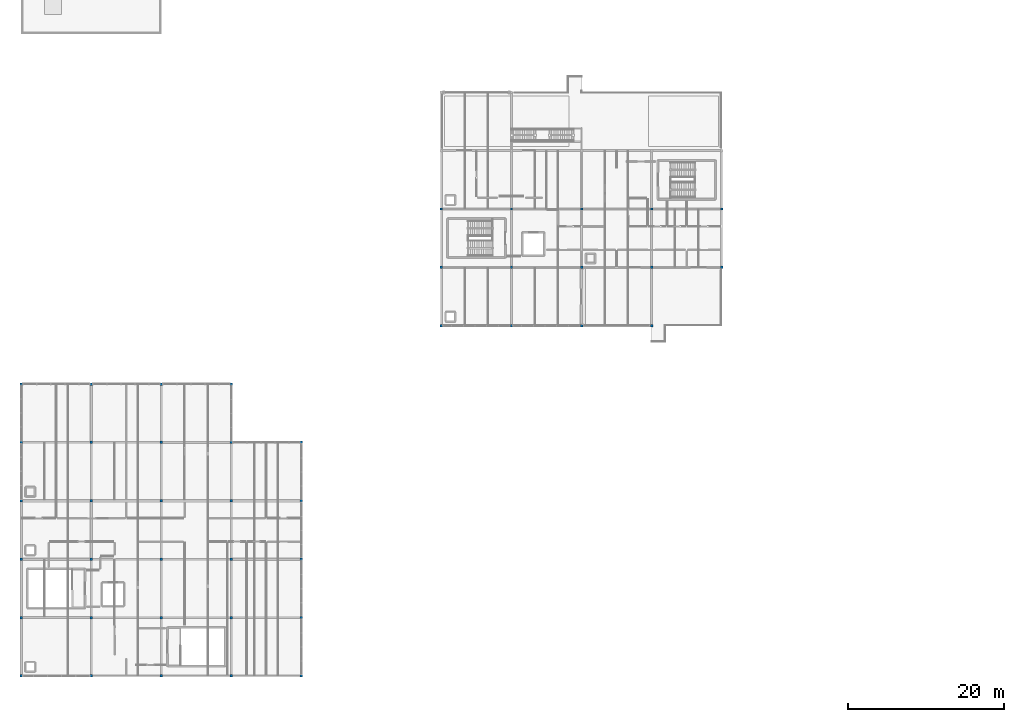
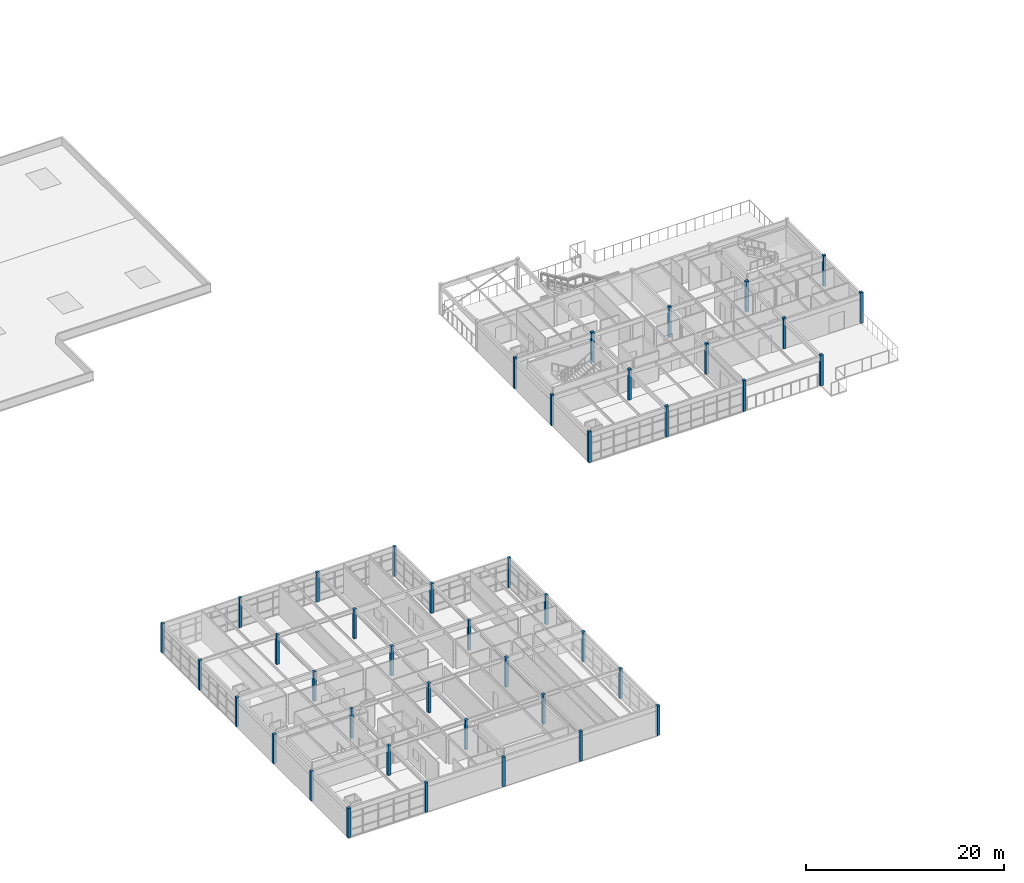
# One storey, part 1 of 24: 43 columns.
"""IFC4 building model written with IfcOpenShell, lengths in metres."""

from ifc_helpers import new_model, si_unit, direction, frame, origin, origin_2d, place, context, subcontext, project, spatial, rectangle, extrude, material, material_profile, profile_set, type_object, element, save


model = new_model("IFC4")

# Units and contexts
model_context = context("Model", 3, precision=1e-05, world=origin(), true_north=direction((0.0, 1.0)))
body_context = subcontext(model_context, "Body", "Model", "MODEL_VIEW")
ifc_project = project(units=[si_unit("LENGTHUNIT", "METRE"), si_unit("AREAUNIT", "SQUARE_METRE"), si_unit("VOLUMEUNIT", "CUBIC_METRE"), si_unit("PLANEANGLEUNIT", "RADIAN"), si_unit("MASSUNIT", "GRAM", prefix="KILO")], contexts=[model_context])

# Site, building, storey
site_placement = place(None, origin())
site = spatial("IfcSite", under=ifc_project, at=site_placement, CompositionType="ELEMENT")
building_placement = place(site_placement, origin())
building = spatial("IfcBuilding", under=site, at=building_placement, Name="Marnridge Secondary College", CompositionType="ELEMENT")
storey_placement = place(building_placement, frame((0.0, 0.0, 16.10009765625)))
storey = spatial("IfcBuildingStorey", under=building, at=storey_placement, Name="L04", CompositionType="ELEMENT", Elevation=16.10009765625)

# Columns
ifc_material_1 = material(Name="Glulam timber GL21", Category="wood")
ifc_material_profile_1 = material_profile(ifc_material_1, rectangle(XDim=0.31494140625, YDim=0.31494140625, at=origin_2d()), Name="GL21 315x315")
ifc_profile_set_1 = profile_set([ifc_material_profile_1], Name="Glulam timber GL21")
column_type_1 = type_object("IfcColumnType", Name="CL-GL315-EXT", PredefinedType="COLUMN", material=ifc_profile_set_1)
for number, where, z_axis, x_axis, name in (
    (1, (0.0, 0.0, 0.0), (0.0, 0.0, 1.0), (1.0, 0.0, 0.0), "Column C-L04-0005"),
    (2, (9.0, 0.0, 0.0), (0.0, 0.0, 1.0), (1.0, 0.0, 0.0), "Column C-L04-0010"),
    (3, (18.0, 0.0, 0.0), (0.0, 0.0, 1.0), (1.0, 0.0, 0.0), "Column C-L04-0015"),
    (4, (27.0, 0.0, 0.0), (0.0, 0.0, 1.0), (1.0, 0.0, 0.0), "Column C-L04-0020"),
    (5, (36.0, 0.0, 0.0), (0.0, 0.0, 1.0), (1.0, 0.0, 0.0), "Column C-L04-0025"),
    (6, (0.0, 7.5, 0.0), (0.0, 0.0, 1.0), (1.0, 0.0, 0.0), "Column C-L04-0057"),
    (7, (36.0, 7.5, 0.0), (0.0, 0.0, 1.0), (1.0, 0.0, 0.0), "Column C-L04-0077"),
    (8, (0.0, 15.0, 0.0), (0.0, 0.0, 1.0), (1.0, 0.0, 0.0), "Column C-L04-0102"),
    (9, (36.0, 15.0, 0.0), (0.0, 0.0, 1.0), (1.0, 0.0, 0.0), "Column C-L04-0122"),
    (10, (0.0, 22.5, 0.0), (0.0, 0.0, 1.0), (1.0, 0.0, 0.0), "Column C-L04-0147"),
    (11, (36.0, 22.5, 0.0), (0.0, 0.0, 1.0), (1.0, 0.0, 0.0), "Column C-L04-0167"),
    (12, (0.0, 30.0, 0.0), (0.0, 0.0, 1.0), (1.0, 0.0, 0.0), "Column C-L04-0192"),
    (13, (27.0, 30.0, 0.0), (0.0, 0.0, 1.0), (1.0, 0.0, 0.0), "Column C-L04-0207"),
    (14, (36.0, 30.0, 0.0), (0.0, 0.0, 1.0), (1.0, 0.0, 0.0), "Column C-L04-0212"),
    (15, (0.0, 37.5, 0.0), (0.0, 0.0, 1.0), (1.0, 0.0, 0.0), "Column C-L04-0244"),
    (16, (9.0, 37.5, 0.0), (0.0, 0.0, 1.0), (1.0, 0.0, 0.0), "Column C-L04-0249"),
    (17, (18.0, 37.5, 0.0), (0.0, 0.0, 1.0), (1.0, 0.0, 0.0), "Column C-L04-0254"),
    (18, (27.0, 37.5, 0.0), (0.0, 0.0, 1.0), (1.0, 0.0, 0.0), "Column C-L04-0259"),
):
    element("IfcColumn", number, at=place(storey_placement, frame(where, z_axis=z_axis, x_axis=x_axis)), inside=storey, type_object=column_type_1, Name=name, PredefinedType="COLUMN", context=body_context, shape_type="SweptSolid", body=[
        extrude(rectangle(XDim=0.31494140625, YDim=0.31494140625, at=origin_2d()), origin(), (0.0, 0.0, 1.0), 3.64990234375),
    ])
for number, where, z_axis, x_axis, name in (
    (19, (54.0, 45.0, 0.0), (0.0, 0.0, 1.0), (1.0, 0.0, 0.0), "Column C-L04-0294"),
    (20, (63.0, 45.0, 0.0), (0.0, 0.0, 1.0), (1.0, 0.0, 0.0), "Column C-L04-0299"),
    (21, (72.0, 45.0, 0.0), (0.0, 0.0, 1.0), (1.0, 0.0, 0.0), "Column C-L04-0304"),
    (22, (81.0, 45.0, 0.0), (0.0, 0.0, 1.0), (1.0, 0.0, 0.0), "Column C-L04-0309"),
    (23, (54.0, 52.5, 0.0), (0.0, 0.0, 1.0), (1.0, 0.0, 0.0), "Column C-L04-0320"),
    (24, (63.0, 52.5, 0.0), (0.0, 0.0, 1.0), (1.0, 0.0, 0.0), "Column C-L04-0327"),
    (25, (72.0, 52.5, 0.0), (0.0, 0.0, 1.0), (1.0, 0.0, 0.0), "Column C-L04-0334"),
    (26, (81.0, 52.5, 0.0), (0.0, 0.0, 1.0), (1.0, 0.0, 0.0), "Column C-L04-0341"),
    (27, (90.0, 52.5, 0.0), (0.0, 0.0, 1.0), (1.0, 0.0, 0.0), "Column C-L04-0348"),
    (28, (54.0, 60.0, 0.0), (0.0, 0.0, 1.0), (1.0, 0.0, 0.0), "Column C-L04-0355"),
    (29, (90.0, 60.0, 0.0), (0.0, 0.0, 1.0), (1.0, 0.0, 0.0), "Column C-L04-0383"),
):
    element("IfcColumn", number, at=place(storey_placement, frame(where, z_axis=z_axis, x_axis=x_axis)), inside=storey, type_object=column_type_1, Name=name, PredefinedType="COLUMN", context=body_context, shape_type="SweptSolid", body=[
        extrude(rectangle(XDim=0.31494140625, YDim=0.31494140625, at=origin_2d()), origin(), (0.0, 0.0, 1.0), 3.7998046875),
    ])
ifc_material_2 = material(Name="Glulam timber GL21", Category="wood")
ifc_material_profile_2 = material_profile(ifc_material_2, rectangle(XDim=0.31494140625, YDim=0.31494140625, at=origin_2d()), Name="GL21 315x315")
ifc_profile_set_2 = profile_set([ifc_material_profile_2], Name="Glulam timber GL21")
column_type_2 = type_object("IfcColumnType", Name="CL-GL315-INT", PredefinedType="COLUMN", material=ifc_profile_set_2)
for number, where, z_axis, x_axis, name in (
    (30, (9.0, 7.5, 0.0), (0.0, 0.0, 1.0), (1.0, 0.0, 0.0), "Column C-L04-0062"),
    (31, (18.0, 7.5, 0.0), (0.0, 0.0, 1.0), (1.0, 0.0, 0.0), "Column C-L04-0067"),
    (32, (27.0, 7.5, 0.0), (0.0, 0.0, 1.0), (1.0, 0.0, 0.0), "Column C-L04-0072"),
    (33, (9.0, 15.0, 0.0), (0.0, 0.0, 1.0), (1.0, 0.0, 0.0), "Column C-L04-0107"),
    (34, (18.0, 15.0, 0.0), (0.0, 0.0, 1.0), (1.0, 0.0, 0.0), "Column C-L04-0112"),
    (35, (27.0, 15.0, 0.0), (0.0, 0.0, 1.0), (1.0, 0.0, 0.0), "Column C-L04-0117"),
    (36, (9.0, 22.5, 0.0), (0.0, 0.0, 1.0), (1.0, 0.0, 0.0), "Column C-L04-0152"),
    (37, (18.0, 22.5, 0.0), (0.0, 0.0, 1.0), (1.0, 0.0, 0.0), "Column C-L04-0157"),
    (38, (27.0, 22.5, 0.0), (0.0, 0.0, 1.0), (1.0, 0.0, 0.0), "Column C-L04-0162"),
    (39, (9.0, 30.0, 0.0), (0.0, 0.0, 1.0), (1.0, 0.0, 0.0), "Column C-L04-0197"),
    (40, (18.0, 30.0, 0.0), (0.0, 0.0, 1.0), (1.0, 0.0, 0.0), "Column C-L04-0202"),
):
    element("IfcColumn", number, at=place(storey_placement, frame(where, z_axis=z_axis, x_axis=x_axis)), inside=storey, type_object=column_type_2, Name=name, PredefinedType="COLUMN", context=body_context, shape_type="SweptSolid", body=[
        extrude(rectangle(XDim=0.31494140625, YDim=0.31494140625, at=origin_2d()), origin(), (0.0, 0.0, 1.0), 3.64990234375),
    ])
for number, where, z_axis, x_axis, name in (
    (41, (63.0, 60.0, 0.0), (0.0, 0.0, 1.0), (1.0, 0.0, 0.0), "Column C-L04-0362"),
    (42, (72.0, 60.0, 0.0), (0.0, 0.0, 1.0), (1.0, 0.0, 0.0), "Column C-L04-0369"),
    (43, (81.0, 60.0, 0.0), (0.0, 0.0, 1.0), (1.0, 0.0, 0.0), "Column C-L04-0376"),
):
    element("IfcColumn", number, at=place(storey_placement, frame(where, z_axis=z_axis, x_axis=x_axis)), inside=storey, type_object=column_type_2, Name=name, PredefinedType="COLUMN", context=body_context, shape_type="SweptSolid", body=[
        extrude(rectangle(XDim=0.31494140625, YDim=0.31494140625, at=origin_2d()), origin(), (0.0, 0.0, 1.0), 3.7998046875),
    ])

save(model, "model.ifc")
